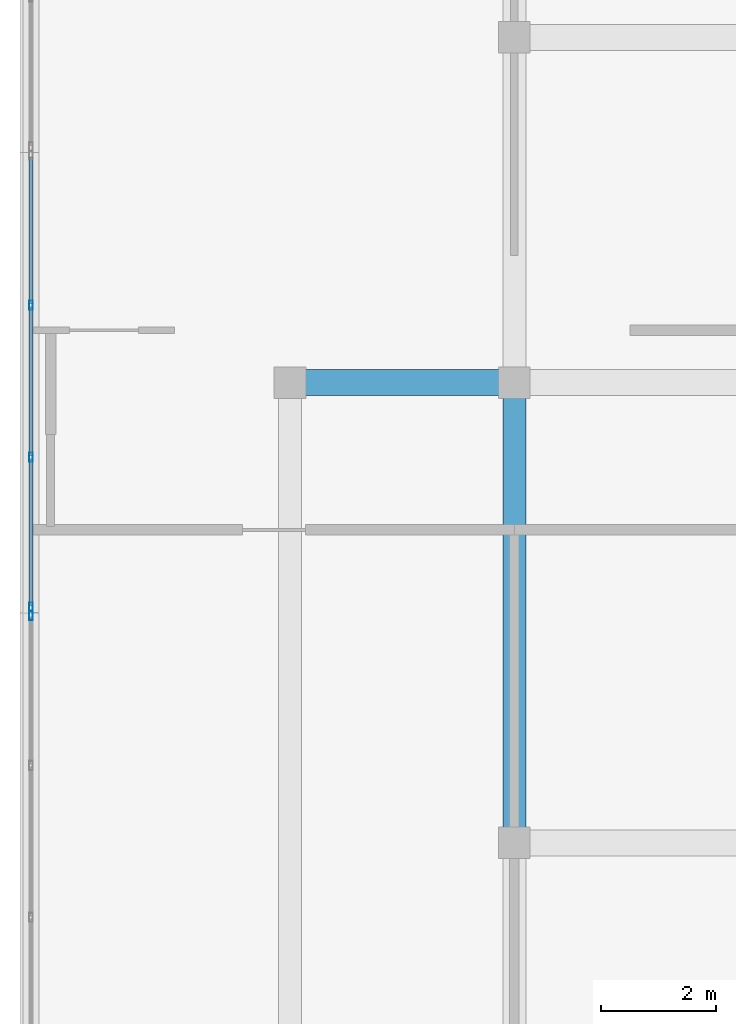
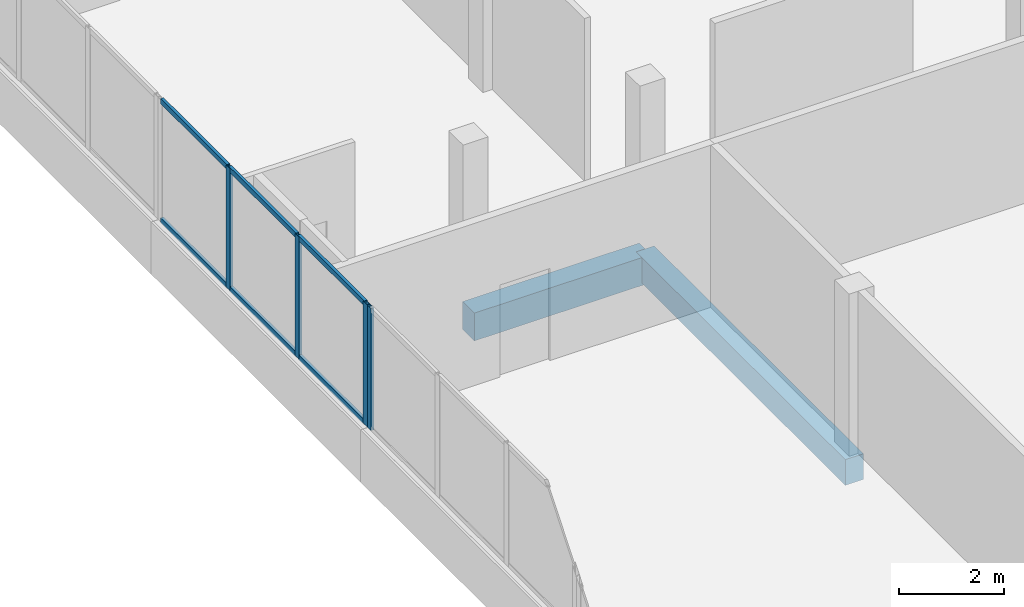
# One storey, part 9 of 66: 10 members, 2 beams, 2 elements without a shape of their own.
"""IFC4 building model written with IfcOpenShell, lengths in metres."""

import ifcopenshell
import ifcopenshell.guid

model = None  # the IFC model being written
_history = None  # IfcOwnerHistory: only IFC2X3 demands one
_inside = {}  # id of a spatial element -> (the spatial element, [elements in it])
_under = {}  # id of a project, library or spatial element -> (it, [spatial elements below it])
_declared = {}  # id of a project -> (the project, [libraries it declares])
_typed = {}  # id of a type object -> (the type object, [elements of that type])
_made_of = {}  # id of a material, layer set ... -> (it, [elements and type objects made of it])


def new_model(schema):
    """Start an empty IFC model of exactly this schema.

    Asked for "IFC4X3", IfcOpenShell would pick the latest addendum, in which some entities
    have other attributes; the version numbers below select the first issue.
    IFC2X3 requires an IfcOwnerHistory on every rooted entity: one is made here for all.
    """
    global model, _history
    if schema == "IFC4X3":
        model = ifcopenshell.file(schema_version=(4, 3, 0, 0))
    else:
        model = ifcopenshell.file(schema=schema)
    _inside.clear()
    _under.clear()
    _declared.clear()
    _typed.clear()
    _made_of.clear()
    _history = None
    if model.schema == "IFC2X3":
        org = make("IfcOrganization", Name="unknown")
        user = make(
            "IfcPersonAndOrganization",
            ThePerson=make("IfcPerson", FamilyName="unknown"),
            TheOrganization=org,
        )
        app = make(
            "IfcApplication",
            ApplicationDeveloper=org,
            Version="unknown",
            ApplicationFullName="unknown",
            ApplicationIdentifier="unknown",
        )
        _history = make(
            "IfcOwnerHistory",
            OwningUser=user,
            OwningApplication=app,
            ChangeAction="ADDED",
            CreationDate=0,
        )
    return model


def make(cls, **values):
    """One entity of the class cls with the attributes given. An attribute that is None is left unset."""
    return model.create_entity(
        cls, **{name: value for name, value in values.items() if value is not None}
    )


def rooted(cls, **values):
    """An entity with a GlobalId (a new one), such as an element, a storey or a relation."""
    return make(cls, GlobalId=ifcopenshell.guid.new(), OwnerHistory=_history, **values)


def si_unit(unit_type, name, prefix=None):
    """IfcSIUnit, for example si_unit("LENGTHUNIT", "METRE", prefix="MILLI")."""
    return make("IfcSIUnit", UnitType=unit_type, Prefix=prefix, Name=name)


def assignment(units):
    """IfcUnitAssignment: the units of a project."""
    return None if units is None else make("IfcUnitAssignment", Units=units)


def point(xyz):
    """IfcCartesianPoint."""
    return None if xyz is None else make("IfcCartesianPoint", Coordinates=xyz)


def direction(xyz):
    """IfcDirection."""
    return None if xyz is None else make("IfcDirection", DirectionRatios=xyz)


def frame(location, z_axis=None, x_axis=None):
    """IfcAxis2Placement3D, a coordinate frame: its origin and axes. An axis left out is left unset."""
    return make(
        "IfcAxis2Placement3D",
        Location=point(location),
        Axis=direction(z_axis),
        RefDirection=direction(x_axis),
    )


def frame_2d(location, x_axis=None):
    """IfcAxis2Placement2D, a coordinate frame in the plane: its origin and x axis."""
    return make(
        "IfcAxis2Placement2D", Location=point(location), RefDirection=direction(x_axis)
    )


def origin():
    """The frame at (0, 0, 0) with its axes left unset."""
    return frame((0.0, 0.0, 0.0))


def origin_2d():
    """The frame at (0, 0) in the plane with its x axis left unset."""
    return frame_2d((0.0, 0.0))


def place(relative_to, where):
    """IfcLocalPlacement: puts the frame where relative to a parent placement (None: the world)."""
    return make(
        "IfcLocalPlacement", PlacementRelTo=relative_to, RelativePlacement=where
    )


def context(
    kind, dimensions, precision=None, world=None, true_north=None, identifier=None
):
    """IfcGeometricRepresentationContext, for example the 3D "Model" context."""
    return make(
        "IfcGeometricRepresentationContext",
        ContextIdentifier=identifier,
        ContextType=kind,
        CoordinateSpaceDimension=dimensions,
        Precision=precision,
        WorldCoordinateSystem=world,
        TrueNorth=true_north,
    )


def subcontext(parent, identifier, kind, view, scale=None):
    """IfcGeometricRepresentationSubContext, for example "Body" below "Model"."""
    return make(
        "IfcGeometricRepresentationSubContext",
        ContextIdentifier=identifier,
        ContextType=kind,
        ParentContext=parent,
        TargetScale=scale,
        TargetView=view,
    )


def project(units=None, contexts=None):
    """IfcProject with its units and contexts."""
    return rooted(
        "IfcProject",
        Name="project",
        RepresentationContexts=contexts,
        UnitsInContext=assignment(units),
    )


def spatial(cls, under=None, at=None, **own):
    """A site, building, storey or space (cls), placed at a placement, below another one or the project."""
    s = rooted(cls, ObjectPlacement=at, **own)
    if under is not None:
        _under.setdefault(under.id(), (under, []))[1].append(s)
    return s


def profile(cls, at=None, kind="AREA", **sizes):
    """A parametric profile (cls). Its sizes go by their IFC names, for example OverallWidth=200.0."""
    return make(cls, ProfileType=kind, Position=at, **sizes)


def rectangle(**sizes):
    """IfcRectangleProfileDef."""
    return profile("IfcRectangleProfileDef", **sizes)


def hollow_rectangle(**sizes):
    """IfcRectangleHollowProfileDef."""
    return profile("IfcRectangleHollowProfileDef", **sizes)


def extrude(swept, where, along, depth):
    """IfcExtrudedAreaSolid: the profile swept, set in the frame where, extruded along a direction by depth."""
    return make(
        "IfcExtrudedAreaSolid",
        SweptArea=swept,
        Position=where,
        ExtrudedDirection=direction(along),
        Depth=depth,
    )


def shape(context_of_items, identifier, shape_type, items):
    """IfcShapeRepresentation: the items that make up one representation, for example the "Body"."""
    return make(
        "IfcShapeRepresentation",
        ContextOfItems=context_of_items,
        RepresentationIdentifier=identifier,
        RepresentationType=shape_type,
        Items=items,
    )


def material(Name=None, Category=None):
    """IfcMaterial."""
    return make("IfcMaterial", Name=Name, Category=Category)


def material_profile(
    of_material, cross_section, Name=None, Category=None, Priority=None
):
    """IfcMaterialProfile: a cross section and its material."""
    return make(
        "IfcMaterialProfile",
        Name=Name,
        Material=of_material,
        Profile=cross_section,
        Priority=Priority,
        Category=Category,
    )


def profile_set(profiles, Name=None, composite=None):
    """IfcMaterialProfileSet."""
    return make(
        "IfcMaterialProfileSet",
        Name=Name,
        MaterialProfiles=profiles,
        CompositeProfile=composite,
    )


def made_of(thing, what):
    """Note that an element or type object is made of a material, layer set ...; save() writes the relation."""
    if what is not None:
        _made_of.setdefault(what.id(), (what, []))[1].append(thing)
    return thing


def type_object(cls, material=None, **own):
    """A type object (cls), such as IfcWallType, which elements share."""
    return made_of(rooted(cls, **own), material)


def element(
    cls,
    number,
    at=None,
    inside=None,
    cuts=None,
    type_object=None,
    material=None,
    context=None,
    identifier="Body",
    shape_type=None,
    held_by="IfcProductDefinitionShape",
    body=None,
    shapes=None,
    **own,
):
    """One element of the class cls, such as IfcWall. Its Tag is "e" and its number.

    at: its placement. inside: the storey or other place that contains it. cuts: it is an
    opening in that element (IfcRelVoidsElement). A single representation is given by context,
    identifier, shape_type and body (its items); several are given by shapes. held_by: the class
    of the entity that holds the representations. save() writes the other relations.
    """
    e = rooted(cls, Tag="e%d" % number, ObjectPlacement=at, **own)
    if body is not None:
        shapes = [shape(context, identifier, shape_type, body)]
    if shapes is not None:
        e.Representation = make(held_by, Representations=shapes)
    if inside is not None:
        _inside.setdefault(inside.id(), (inside, []))[1].append(e)
    if cuts is not None:
        rooted(
            "IfcRelVoidsElement", RelatingBuildingElement=cuts, RelatedOpeningElement=e
        )
    if type_object is not None:
        _typed.setdefault(type_object.id(), (type_object, []))[1].append(e)
    return made_of(e, material)


def aggregate(whole, parts):
    """IfcRelAggregates: a whole, such as a stair, and the parts it consists of."""
    return rooted("IfcRelAggregates", RelatingObject=whole, RelatedObjects=parts)


def save(model, path):
    """Write the relations noted so far, then the file.

    IfcRelAggregates (storeys below a building ...), IfcRelContainedInSpatialStructure (elements
    in a storey), IfcRelDefinesByType, IfcRelAssociatesMaterial and IfcRelDeclares: one each for
    every whole, place, type object, material and project.
    """
    for whole, parts in _under.values():
        aggregate(whole, parts)
    for where, things in _inside.values():
        rooted(
            "IfcRelContainedInSpatialStructure",
            RelatedElements=things,
            RelatingStructure=where,
        )
    for kind, things in _typed.values():
        rooted("IfcRelDefinesByType", RelatedObjects=things, RelatingType=kind)
    for what, things in _made_of.values():
        rooted("IfcRelAssociatesMaterial", RelatedObjects=things, RelatingMaterial=what)
    for by, libraries in _declared.values():
        rooted("IfcRelDeclares", RelatingContext=by, RelatedDefinitions=libraries)
    model.write(path)


model = new_model("IFC4")

# Units and contexts
model_context = context("Model", 3, precision=1e-05, world=origin(), true_north=direction((0.0, 1.0)))
body_context = subcontext(model_context, "Body", "Model", "MODEL_VIEW")
ifc_project = project(units=[si_unit("LENGTHUNIT", "METRE"), si_unit("AREAUNIT", "SQUARE_METRE"), si_unit("VOLUMEUNIT", "CUBIC_METRE"), si_unit("PLANEANGLEUNIT", "RADIAN"), si_unit("MASSUNIT", "GRAM", prefix="KILO")], contexts=[model_context])

# Site, building, storey
site_placement = place(None, origin())
site = spatial("IfcSite", under=ifc_project, at=site_placement, CompositionType="ELEMENT")
building_placement = place(site_placement, origin())
building = spatial("IfcBuilding", under=site, at=building_placement, Name="Selatvlak General Hospital", CompositionType="ELEMENT")
storey_placement = place(building_placement, frame((0.0, 0.0, 31.35009765625)))
storey = spatial("IfcBuildingStorey", under=building, at=storey_placement, Name="L07", CompositionType="ELEMENT", Elevation=31.35009765625)

# Beams
ifc_material_1 = material(Name="Concrete C40/50", Category="concrete")
ifc_material_profile_1 = material_profile(ifc_material_1, rectangle(XDim=0.449951171875, YDim=0.64990234375, at=origin_2d()), Name="RC-BM 450x650")
ifc_profile_set_1 = profile_set([ifc_material_profile_1], Name="Concrete C40/50")
beam_type_1 = type_object("IfcBeamType", Name="BM-G04", PredefinedType="BEAM", material=ifc_profile_set_1)
beam_1_placement = place(storey_placement, frame((27.300048828125, 108.0, -0.59521484375), z_axis=(1.0, 0.0, 0.0), x_axis=(0.0, 1.0, 0.0)))
element("IfcBeam", 1, at=beam_1_placement, inside=storey, type_object=beam_type_1, Name="Beam BMR-L07-2425", PredefinedType="BEAM", context=body_context, shape_type="SweptSolid", body=[
    extrude(rectangle(XDim=0.449951171875, YDim=0.64990234375, at=origin_2d()), origin(), (0.0, 0.0, 1.0), 3.89990234375),
])
ifc_material_profile_2 = material_profile(ifc_material_1, rectangle(XDim=0.39990234375, YDim=0.60009765625, at=origin_2d()), Name="RC-BM 400x600")
ifc_profile_set_2 = profile_set([ifc_material_profile_2], Name="Concrete C40/50")
beam_type_2 = type_object("IfcBeamType", Name="BM-G05", PredefinedType="BEAM", material=ifc_profile_set_2)
beam_2_placement = place(storey_placement, frame((31.199951171875, 100.0, -0.570068359375), z_axis=(0.0, 1.0, 0.0), x_axis=(-1.0, 0.0, 0.0)))
element("IfcBeam", 2, at=beam_2_placement, inside=storey, type_object=beam_type_2, Name="Beam BMR-L07-2461", PredefinedType="BEAM", context=body_context, shape_type="SweptSolid", body=[
    extrude(rectangle(XDim=0.39990234375, YDim=0.60009765625, at=origin_2d()), origin(), (0.0, 0.0, 1.0), 8.0),
])

# Curtain wall, member
ifc_material_2 = material(Name="Solar-control Low-E double glazing", Category="glass")
curtain_wall_type_1 = type_object("IfcCurtainWallType", Name="CW-CW-02", PredefinedType="USERDEFINED", material=ifc_material_2)
curtain_wall_1_placement = place(storey_placement, origin())
curtain_wall_1 = element("IfcCurtainWall", 3, at=curtain_wall_1_placement, inside=storey, type_object=curtain_wall_type_1, Name="Glazed facade curtain wall CW-L07-0640", ObjectType="UNITISED CURTAIN WALL", PredefinedType="USERDEFINED")
ifc_material_3 = material(Name="Dark anodised aluminium mullion", Category="aluminium")
ifc_material_profile_3 = material_profile(ifc_material_3, hollow_rectangle(XDim=0.06494140625, YDim=0.159912109375, WallThickness=0.00390625, at=origin_2d()), Name="AL-MUL 65x160x4")
ifc_profile_set_3 = profile_set([ifc_material_profile_3], Name="Dark anodised aluminium mullion")
member_type_1 = type_object("IfcMemberType", Name="CWM-01", PredefinedType="MULLION", material=ifc_profile_set_3)
member_1_placement = place(storey_placement, frame((22.800048828125, 103.951416015625, 0.93994140625), z_axis=(0.0, 0.0, 1.0), x_axis=(-1.0, 0.0, 0.0)))
member_1 = element("IfcMember", 4, at=member_1_placement, type_object=member_type_1, Name="CW-02 mullion 4", PredefinedType="MULLION", context=body_context, shape_type="SweptSolid", body=[
    extrude(hollow_rectangle(XDim=0.06494140625, YDim=0.159912109375, WallThickness=0.00390625, at=origin_2d()), origin(), (0.0, 0.0, 1.0), 2.844970703125),
])
aggregate(curtain_wall_1, [member_1])

# Curtain wall, members
curtain_wall_type_2 = type_object("IfcCurtainWallType", Name="CW-CW-01", PredefinedType="USERDEFINED", material=ifc_material_2)
curtain_wall_2_placement = place(storey_placement, origin())
curtain_wall_2 = element("IfcCurtainWall", 5, at=curtain_wall_2_placement, inside=storey, type_object=curtain_wall_type_2, Name="Glazed facade curtain wall CW-L07-0641", ObjectType="UNITISED CURTAIN WALL", PredefinedType="USERDEFINED")
member_2_placement = place(storey_placement, frame((22.800048828125, 104.096435546875, 0.93994140625), z_axis=(0.0, 0.0, 1.0), x_axis=(-1.0, 0.0, 0.0)))
member_2 = element("IfcMember", 6, at=member_2_placement, type_object=member_type_1, Name="CW-01 mullion 1", PredefinedType="MULLION", context=body_context, shape_type="SweptSolid", body=[
    extrude(hollow_rectangle(XDim=0.06494140625, YDim=0.159912109375, WallThickness=0.00390625, at=origin_2d()), origin(), (0.0, 0.0, 1.0), 2.844970703125),
])
member_3_placement = place(storey_placement, frame((22.800048828125, 106.7041015625, 0.93994140625), z_axis=(0.0, 0.0, 1.0), x_axis=(-1.0, 0.0, 0.0)))
member_3 = element("IfcMember", 7, at=member_3_placement, type_object=member_type_1, Name="CW-01 mullion 2", PredefinedType="MULLION", context=body_context, shape_type="SweptSolid", body=[
    extrude(hollow_rectangle(XDim=0.06494140625, YDim=0.159912109375, WallThickness=0.00390625, at=origin_2d()), origin(), (0.0, 0.0, 1.0), 2.844970703125),
])
member_4_placement = place(storey_placement, frame((22.800048828125, 109.343994140625, 0.93994140625), z_axis=(0.0, 0.0, 1.0), x_axis=(-1.0, 0.0, 0.0)))
member_4 = element("IfcMember", 8, at=member_4_placement, type_object=member_type_1, Name="CW-01 mullion 3", PredefinedType="MULLION", context=body_context, shape_type="SweptSolid", body=[
    extrude(hollow_rectangle(XDim=0.06494140625, YDim=0.159912109375, WallThickness=0.00390625, at=origin_2d()), origin(), (0.0, 0.0, 1.0), 2.844970703125),
])
ifc_material_profile_4 = material_profile(ifc_material_3, hollow_rectangle(XDim=0.06494140625, YDim=0.1201171875, WallThickness=0.00390625, at=origin_2d()), Name="AL-TRN 65x120x4")
ifc_profile_set_4 = profile_set([ifc_material_profile_4], Name="Dark anodised aluminium mullion")
member_type_2 = type_object("IfcMemberType", Name="CWT-01", PredefinedType="USERDEFINED", material=ifc_profile_set_4)
member_5_placement = place(storey_placement, frame((22.800048828125, 104.12890625, 0.972412109375), z_axis=(0.0, 1.0, 0.0), x_axis=(-1.0, 0.0, 0.0)))
member_5 = element("IfcMember", 9, at=member_5_placement, type_object=member_type_2, Name="CW-01 transom 1.1", ObjectType="TRANSOM", PredefinedType="USERDEFINED", context=body_context, shape_type="SweptSolid", body=[
    extrude(hollow_rectangle(XDim=0.06494140625, YDim=0.1201171875, WallThickness=0.00390625, at=origin_2d()), origin(), (0.0, 0.0, 1.0), 2.54248046875),
])
member_6_placement = place(storey_placement, frame((22.800048828125, 104.12890625, 3.75244140625), z_axis=(0.0, 1.0, 0.0), x_axis=(-1.0, 0.0, 0.0)))
member_6 = element("IfcMember", 10, at=member_6_placement, type_object=member_type_2, Name="CW-01 transom 1.2", ObjectType="TRANSOM", PredefinedType="USERDEFINED", context=body_context, shape_type="SweptSolid", body=[
    extrude(hollow_rectangle(XDim=0.06494140625, YDim=0.1201171875, WallThickness=0.00390625, at=origin_2d()), origin(), (0.0, 0.0, 1.0), 2.54248046875),
])
member_7_placement = place(storey_placement, frame((22.800048828125, 106.736572265625, 0.972412109375), z_axis=(0.0, 1.0, 0.0), x_axis=(-1.0, 0.0, 0.0)))
member_7 = element("IfcMember", 11, at=member_7_placement, type_object=member_type_2, Name="CW-01 transom 2.1", ObjectType="TRANSOM", PredefinedType="USERDEFINED", context=body_context, shape_type="SweptSolid", body=[
    extrude(hollow_rectangle(XDim=0.06494140625, YDim=0.1201171875, WallThickness=0.00390625, at=origin_2d()), origin(), (0.0, 0.0, 1.0), 2.574951171875),
])
member_8_placement = place(storey_placement, frame((22.800048828125, 106.736572265625, 3.75244140625), z_axis=(0.0, 1.0, 0.0), x_axis=(-1.0, 0.0, 0.0)))
member_8 = element("IfcMember", 12, at=member_8_placement, type_object=member_type_2, Name="CW-01 transom 2.2", ObjectType="TRANSOM", PredefinedType="USERDEFINED", context=body_context, shape_type="SweptSolid", body=[
    extrude(hollow_rectangle(XDim=0.06494140625, YDim=0.1201171875, WallThickness=0.00390625, at=origin_2d()), origin(), (0.0, 0.0, 1.0), 2.574951171875),
])
member_9_placement = place(storey_placement, frame((22.800048828125, 109.37646484375, 0.972412109375), z_axis=(0.0, 1.0, 0.0), x_axis=(-1.0, 0.0, 0.0)))
member_9 = element("IfcMember", 13, at=member_9_placement, type_object=member_type_2, Name="CW-01 transom 3.1", ObjectType="TRANSOM", PredefinedType="USERDEFINED", context=body_context, shape_type="SweptSolid", body=[
    extrude(hollow_rectangle(XDim=0.06494140625, YDim=0.1201171875, WallThickness=0.00390625, at=origin_2d()), origin(), (0.0, 0.0, 1.0), 2.54248046875),
])
member_10_placement = place(storey_placement, frame((22.800048828125, 109.37646484375, 3.75244140625), z_axis=(0.0, 1.0, 0.0), x_axis=(-1.0, 0.0, 0.0)))
member_10 = element("IfcMember", 14, at=member_10_placement, type_object=member_type_2, Name="CW-01 transom 3.2", ObjectType="TRANSOM", PredefinedType="USERDEFINED", context=body_context, shape_type="SweptSolid", body=[
    extrude(hollow_rectangle(XDim=0.06494140625, YDim=0.1201171875, WallThickness=0.00390625, at=origin_2d()), origin(), (0.0, 0.0, 1.0), 2.54248046875),
])
aggregate(curtain_wall_2, [member_2, member_3, member_4, member_5, member_6, member_7, member_8, member_9, member_10])

save(model, "model.ifc")
